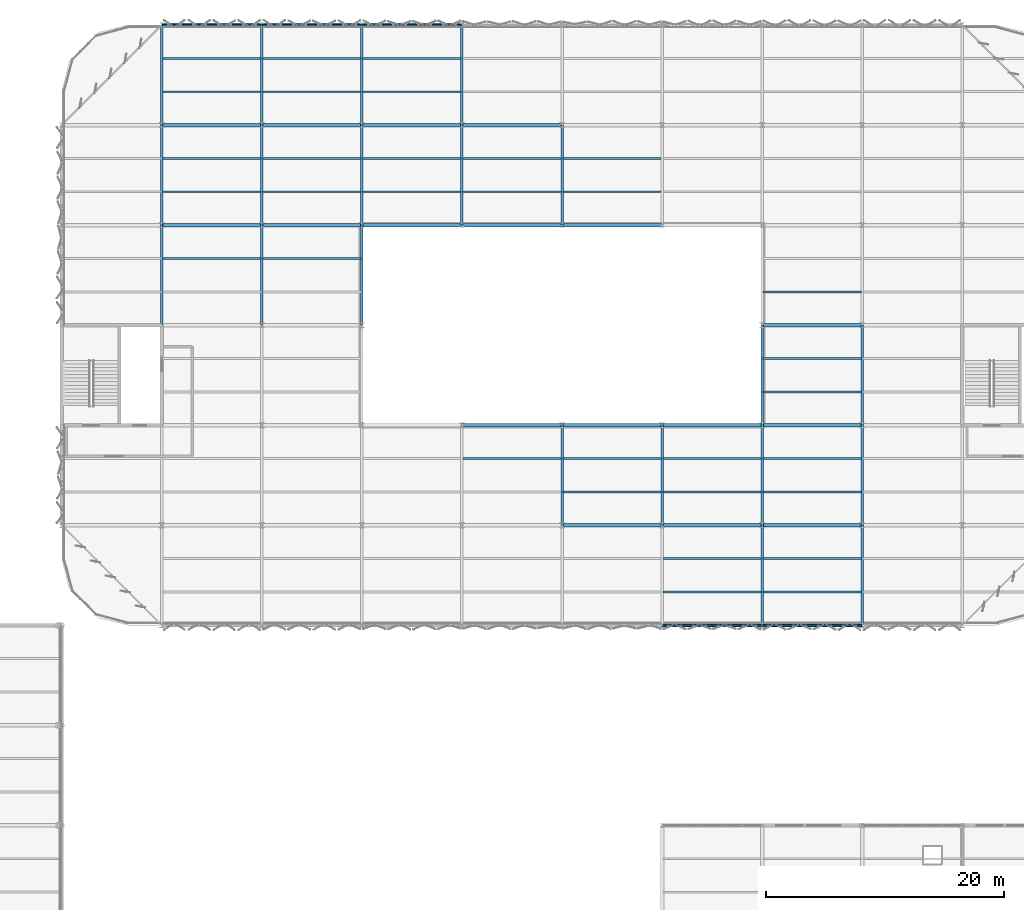
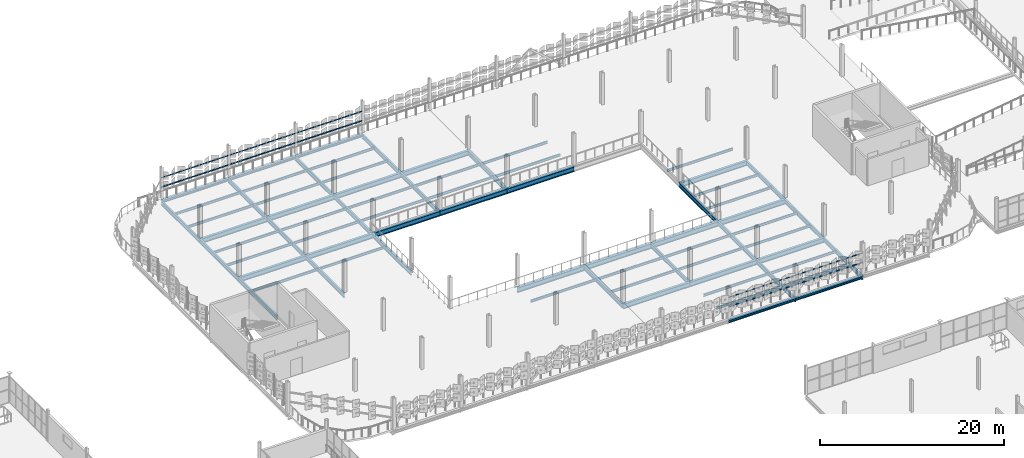
# One storey, part 91 of 163: 84 beams.
"""IFC4 building model written with IfcOpenShell, lengths in metres."""

from ifc_helpers import new_model, si_unit, direction, frame, origin, origin_2d, place, context, subcontext, project, spatial, hollow_rectangle, i_section, extrude, material, material_profile, profile_set, type_object, element, save


model = new_model("IFC4")

# Units and contexts
model_context = context("Model", 3, precision=1e-05, world=origin(), true_north=direction((0.0, 1.0)))
body_context = subcontext(model_context, "Body", "Model", "MODEL_VIEW")
ifc_project = project(units=[si_unit("LENGTHUNIT", "METRE"), si_unit("AREAUNIT", "SQUARE_METRE"), si_unit("VOLUMEUNIT", "CUBIC_METRE"), si_unit("PLANEANGLEUNIT", "RADIAN"), si_unit("MASSUNIT", "GRAM", prefix="KILO")], contexts=[model_context])

# Site, building, storey
site_placement = place(None, origin())
site = spatial("IfcSite", under=ifc_project, at=site_placement, CompositionType="ELEMENT")
building_placement = place(site_placement, origin())
building = spatial("IfcBuilding", under=site, at=building_placement, Name="Qalvenar Corner Mobility Hub", CompositionType="ELEMENT")
storey_placement = place(building_placement, frame((0.0, 0.0, 4.800048828125)))
storey = spatial("IfcBuildingStorey", under=building, at=storey_placement, Name="L01", CompositionType="ELEMENT", Elevation=4.800048828125)

# Beams
ifc_material = material(Name="Steel S355", Category="steel")
ifc_material_profile_1 = material_profile(ifc_material, i_section(OverallWidth=0.300048828125, OverallDepth=0.639892578125, WebThickness=0.013427734375, FlangeThickness=0.02587890625, FilletRadius=0.027099609375, at=origin_2d()), Name="HEA650")
ifc_profile_set_1 = profile_set([ifc_material_profile_1], Name="Steel S355")
beam_type_1 = type_object("IfcBeamType", Name="BM-HEA650", PredefinedType="BEAM", material=ifc_profile_set_1)
beam_1_placement = place(storey_placement, frame((100.800048828125, 75.60009765625, -0.56005859375), z_axis=(1.0, 0.0, 0.0), x_axis=(0.0, 1.0, 0.0)))
element("IfcBeam", 1, at=beam_1_placement, inside=storey, type_object=beam_type_1, Name="Primary Steel Girder GX-1269", PredefinedType="BEAM", context=body_context, shape_type="SweptSolid", body=[
    extrude(i_section(OverallWidth=0.300048828125, OverallDepth=0.639892578125, WebThickness=0.013427734375, FlangeThickness=0.02587890625, FilletRadius=0.027099609375, at=origin_2d()), origin(), (0.0, 0.0, 1.0), 8.39990234375),
])
beam_2_placement = place(storey_placement, frame((109.199951171875, 75.60009765625, -0.56005859375), z_axis=(1.0, 0.0, 0.0), x_axis=(0.0, 1.0, 0.0)))
element("IfcBeam", 2, at=beam_2_placement, inside=storey, type_object=beam_type_1, Name="Primary Steel Girder GX-1270", PredefinedType="BEAM", context=body_context, shape_type="SweptSolid", body=[
    extrude(i_section(OverallWidth=0.300048828125, OverallDepth=0.639892578125, WebThickness=0.013427734375, FlangeThickness=0.02587890625, FilletRadius=0.027099609375, at=origin_2d()), origin(), (0.0, 0.0, 1.0), 8.400146484375),
])
beam_3_placement = place(storey_placement, frame((117.60009765625, 75.60009765625, -0.56005859375), z_axis=(1.0, 0.0, 0.0), x_axis=(0.0, 1.0, 0.0)))
element("IfcBeam", 3, at=beam_3_placement, inside=storey, type_object=beam_type_1, Name="Primary Steel Girder GX-1271", PredefinedType="BEAM", context=body_context, shape_type="SweptSolid", body=[
    extrude(i_section(OverallWidth=0.300048828125, OverallDepth=0.639892578125, WebThickness=0.013427734375, FlangeThickness=0.02587890625, FilletRadius=0.027099609375, at=origin_2d()), origin(), (0.0, 0.0, 1.0), 8.39990234375),
])
beam_4_placement = place(storey_placement, frame((92.39990234375, 84.0, -0.56005859375), z_axis=(1.0, 0.0, 0.0), x_axis=(0.0, 1.0, 0.0)))
element("IfcBeam", 4, at=beam_4_placement, inside=storey, type_object=beam_type_1, Name="Primary Steel Girder GX-1278", PredefinedType="BEAM", context=body_context, shape_type="SweptSolid", body=[
    extrude(i_section(OverallWidth=0.300048828125, OverallDepth=0.639892578125, WebThickness=0.013427734375, FlangeThickness=0.02587890625, FilletRadius=0.027099609375, at=origin_2d()), origin(), (0.0, 0.0, 1.0), 8.400146484375),
])
beam_5_placement = place(storey_placement, frame((100.800048828125, 84.0, -0.56005859375), z_axis=(1.0, 0.0, 0.0), x_axis=(0.0, 1.0, 0.0)))
element("IfcBeam", 5, at=beam_5_placement, inside=storey, type_object=beam_type_1, Name="Primary Steel Girder GX-1279", PredefinedType="BEAM", context=body_context, shape_type="SweptSolid", body=[
    extrude(i_section(OverallWidth=0.300048828125, OverallDepth=0.639892578125, WebThickness=0.013427734375, FlangeThickness=0.02587890625, FilletRadius=0.027099609375, at=origin_2d()), origin(), (0.0, 0.0, 1.0), 8.39990234375),
])
beam_6_placement = place(storey_placement, frame((109.199951171875, 84.0, -0.56005859375), z_axis=(1.0, 0.0, 0.0), x_axis=(0.0, 1.0, 0.0)))
element("IfcBeam", 6, at=beam_6_placement, inside=storey, type_object=beam_type_1, Name="Primary Steel Girder GX-1280", PredefinedType="BEAM", context=body_context, shape_type="SweptSolid", body=[
    extrude(i_section(OverallWidth=0.300048828125, OverallDepth=0.639892578125, WebThickness=0.013427734375, FlangeThickness=0.02587890625, FilletRadius=0.027099609375, at=origin_2d()), origin(), (0.0, 0.0, 1.0), 8.400146484375),
])
for number, where, z_axis, x_axis, name in (
    (7, (117.60009765625, 84.0, -0.56005859375), (1.0, 0.0, 0.0), (0.0, 1.0, 0.0), "Primary Steel Girder GX-1281"),
    (8, (117.60009765625, 92.39990234375, -0.56005859375), (1.0, 0.0, 0.0), (0.0, 1.0, 0.0), "Primary Steel Girder GX-1287"),
):
    element("IfcBeam", number, at=place(storey_placement, frame(where, z_axis=z_axis, x_axis=x_axis)), inside=storey, type_object=beam_type_1, Name=name, PredefinedType="BEAM", context=body_context, shape_type="SweptSolid", body=[
        extrude(i_section(OverallWidth=0.300048828125, OverallDepth=0.639892578125, WebThickness=0.013427734375, FlangeThickness=0.02587890625, FilletRadius=0.027099609375, at=origin_2d()), origin(), (0.0, 0.0, 1.0), 8.39990234375),
    ])
beam_7_placement = place(storey_placement, frame((67.199951171875, 100.800048828125, -0.56005859375), z_axis=(1.0, 0.0, 0.0), x_axis=(0.0, 1.0, 0.0)))
element("IfcBeam", 9, at=beam_7_placement, inside=storey, type_object=beam_type_1, Name="Primary Steel Girder GX-1291", PredefinedType="BEAM", context=body_context, shape_type="SweptSolid", body=[
    extrude(i_section(OverallWidth=0.300048828125, OverallDepth=0.639892578125, WebThickness=0.013427734375, FlangeThickness=0.02587890625, FilletRadius=0.027099609375, at=origin_2d()), origin(), (0.0, 0.0, 1.0), 8.400146484375),
])
for number, where, z_axis, x_axis, name in (
    (10, (75.60009765625, 100.800048828125, -0.56005859375), (1.0, 0.0, 0.0), (0.0, 1.0, 0.0), "Primary Steel Girder GX-1292"),
    (11, (84.0, 100.800048828125, -0.56005859375), (1.0, 0.0, 0.0), (0.0, 1.0, 0.0), "Primary Steel Girder GX-1293"),
):
    element("IfcBeam", number, at=place(storey_placement, frame(where, z_axis=z_axis, x_axis=x_axis)), inside=storey, type_object=beam_type_1, Name=name, PredefinedType="BEAM", context=body_context, shape_type="SweptSolid", body=[
        extrude(i_section(OverallWidth=0.300048828125, OverallDepth=0.639892578125, WebThickness=0.013427734375, FlangeThickness=0.02587890625, FilletRadius=0.027099609375, at=origin_2d()), origin(), (0.0, 0.0, 1.0), 8.39990234375),
    ])
beam_8_placement = place(storey_placement, frame((92.39990234375, 100.800048828125, -0.56005859375), z_axis=(1.0, 0.0, 0.0), x_axis=(0.0, 1.0, 0.0)))
element("IfcBeam", 12, at=beam_8_placement, inside=storey, type_object=beam_type_1, Name="Primary Steel Girder GX-1294", PredefinedType="BEAM", context=body_context, shape_type="SweptSolid", body=[
    extrude(i_section(OverallWidth=0.300048828125, OverallDepth=0.639892578125, WebThickness=0.013427734375, FlangeThickness=0.02587890625, FilletRadius=0.027099609375, at=origin_2d()), origin(), (0.0, 0.0, 1.0), 8.400146484375),
])
beam_9_placement = place(storey_placement, frame((100.800048828125, 100.800048828125, -0.56005859375), z_axis=(1.0, 0.0, 0.0), x_axis=(0.0, 1.0, 0.0)))
element("IfcBeam", 13, at=beam_9_placement, inside=storey, type_object=beam_type_1, Name="Primary Steel Girder GX-1295", PredefinedType="BEAM", context=body_context, shape_type="SweptSolid", body=[
    extrude(i_section(OverallWidth=0.300048828125, OverallDepth=0.639892578125, WebThickness=0.013427734375, FlangeThickness=0.02587890625, FilletRadius=0.027099609375, at=origin_2d()), origin(), (0.0, 0.0, 1.0), 8.39990234375),
])
beam_10_placement = place(storey_placement, frame((67.199951171875, 109.199951171875, -0.56005859375), z_axis=(1.0, 0.0, 0.0), x_axis=(0.0, 1.0, 0.0)))
element("IfcBeam", 14, at=beam_10_placement, inside=storey, type_object=beam_type_1, Name="Primary Steel Girder GX-1301", PredefinedType="BEAM", context=body_context, shape_type="SweptSolid", body=[
    extrude(i_section(OverallWidth=0.300048828125, OverallDepth=0.639892578125, WebThickness=0.013427734375, FlangeThickness=0.02587890625, FilletRadius=0.027099609375, at=origin_2d()), origin(), (0.0, 0.0, 1.0), 8.400146484375),
])
for number, where, z_axis, x_axis, name in (
    (15, (75.60009765625, 109.199951171875, -0.56005859375), (1.0, 0.0, 0.0), (0.0, 1.0, 0.0), "Primary Steel Girder GX-1302"),
    (16, (84.0, 109.199951171875, -0.56005859375), (1.0, 0.0, 0.0), (0.0, 1.0, 0.0), "Primary Steel Girder GX-1303"),
):
    element("IfcBeam", number, at=place(storey_placement, frame(where, z_axis=z_axis, x_axis=x_axis)), inside=storey, type_object=beam_type_1, Name=name, PredefinedType="BEAM", context=body_context, shape_type="SweptSolid", body=[
        extrude(i_section(OverallWidth=0.300048828125, OverallDepth=0.639892578125, WebThickness=0.013427734375, FlangeThickness=0.02587890625, FilletRadius=0.027099609375, at=origin_2d()), origin(), (0.0, 0.0, 1.0), 8.39990234375),
    ])
beam_11_placement = place(storey_placement, frame((92.39990234375, 109.199951171875, -0.56005859375), z_axis=(1.0, 0.0, 0.0), x_axis=(0.0, 1.0, 0.0)))
element("IfcBeam", 17, at=beam_11_placement, inside=storey, type_object=beam_type_1, Name="Primary Steel Girder GX-1304", PredefinedType="BEAM", context=body_context, shape_type="SweptSolid", body=[
    extrude(i_section(OverallWidth=0.300048828125, OverallDepth=0.639892578125, WebThickness=0.013427734375, FlangeThickness=0.02587890625, FilletRadius=0.027099609375, at=origin_2d()), origin(), (0.0, 0.0, 1.0), 8.400146484375),
])
ifc_material_profile_2 = material_profile(ifc_material, i_section(OverallWidth=0.2099609375, OverallDepth=0.550048828125, WebThickness=0.010986328125, FlangeThickness=0.01708984375, FilletRadius=0.02392578125, at=origin_2d()), Name="IPE550")
ifc_profile_set_2 = profile_set([ifc_material_profile_2], Name="Steel S355")
beam_type_2 = type_object("IfcBeamType", Name="BM-IPE550", PredefinedType="BEAM", material=ifc_profile_set_2)
beam_12_placement = place(storey_placement, frame((67.199951171875, 92.39990234375, -0.51513671875), z_axis=(0.0, 1.0, 0.0), x_axis=(-1.0, 0.0, 0.0)))
element("IfcBeam", 18, at=beam_12_placement, inside=storey, type_object=beam_type_2, Name="Primary Steel Girder GY-1325", PredefinedType="BEAM", context=body_context, shape_type="SweptSolid", body=[
    extrude(i_section(OverallWidth=0.2099609375, OverallDepth=0.550048828125, WebThickness=0.010986328125, FlangeThickness=0.01708984375, FilletRadius=0.02392578125, at=origin_2d()), origin(), (0.0, 0.0, 1.0), 8.400146484375),
])
beam_13_placement = place(storey_placement, frame((67.199951171875, 100.800048828125, -0.51513671875), z_axis=(0.0, 1.0, 0.0), x_axis=(-1.0, 0.0, 0.0)))
element("IfcBeam", 19, at=beam_13_placement, inside=storey, type_object=beam_type_2, Name="Primary Steel Girder GY-1326", PredefinedType="BEAM", context=body_context, shape_type="SweptSolid", body=[
    extrude(i_section(OverallWidth=0.2099609375, OverallDepth=0.550048828125, WebThickness=0.010986328125, FlangeThickness=0.01708984375, FilletRadius=0.02392578125, at=origin_2d()), origin(), (0.0, 0.0, 1.0), 8.39990234375),
])
for number, where, z_axis, x_axis, name in (
    (20, (67.199951171875, 109.199951171875, -0.51513671875), (0.0, 1.0, 0.0), (-1.0, 0.0, 0.0), "Primary Steel Girder GY-1327"),
    (21, (75.60009765625, 92.39990234375, -0.51513671875), (0.0, 1.0, 0.0), (-1.0, 0.0, 0.0), "Primary Steel Girder GY-1331"),
):
    element("IfcBeam", number, at=place(storey_placement, frame(where, z_axis=z_axis, x_axis=x_axis)), inside=storey, type_object=beam_type_2, Name=name, PredefinedType="BEAM", context=body_context, shape_type="SweptSolid", body=[
        extrude(i_section(OverallWidth=0.2099609375, OverallDepth=0.550048828125, WebThickness=0.010986328125, FlangeThickness=0.01708984375, FilletRadius=0.02392578125, at=origin_2d()), origin(), (0.0, 0.0, 1.0), 8.400146484375),
    ])
beam_14_placement = place(storey_placement, frame((75.60009765625, 100.800048828125, -0.51513671875), z_axis=(0.0, 1.0, 0.0), x_axis=(-1.0, 0.0, 0.0)))
element("IfcBeam", 22, at=beam_14_placement, inside=storey, type_object=beam_type_2, Name="Primary Steel Girder GY-1332", PredefinedType="BEAM", context=body_context, shape_type="SweptSolid", body=[
    extrude(i_section(OverallWidth=0.2099609375, OverallDepth=0.550048828125, WebThickness=0.010986328125, FlangeThickness=0.01708984375, FilletRadius=0.02392578125, at=origin_2d()), origin(), (0.0, 0.0, 1.0), 8.39990234375),
])
for number, where, z_axis, x_axis, name in (
    (23, (75.60009765625, 109.199951171875, -0.51513671875), (0.0, 1.0, 0.0), (-1.0, 0.0, 0.0), "Primary Steel Girder GY-1333"),
    (24, (84.0, 92.39990234375, -0.51513671875), (0.0, 1.0, 0.0), (-1.0, 0.0, 0.0), "Primary Steel Girder GY-1337"),
):
    element("IfcBeam", number, at=place(storey_placement, frame(where, z_axis=z_axis, x_axis=x_axis)), inside=storey, type_object=beam_type_2, Name=name, PredefinedType="BEAM", context=body_context, shape_type="SweptSolid", body=[
        extrude(i_section(OverallWidth=0.2099609375, OverallDepth=0.550048828125, WebThickness=0.010986328125, FlangeThickness=0.01708984375, FilletRadius=0.02392578125, at=origin_2d()), origin(), (0.0, 0.0, 1.0), 8.400146484375),
    ])
beam_15_placement = place(storey_placement, frame((84.0, 100.800048828125, -0.51513671875), z_axis=(0.0, 1.0, 0.0), x_axis=(-1.0, 0.0, 0.0)))
element("IfcBeam", 25, at=beam_15_placement, inside=storey, type_object=beam_type_2, Name="Primary Steel Girder GY-1338", PredefinedType="BEAM", context=body_context, shape_type="SweptSolid", body=[
    extrude(i_section(OverallWidth=0.2099609375, OverallDepth=0.550048828125, WebThickness=0.010986328125, FlangeThickness=0.01708984375, FilletRadius=0.02392578125, at=origin_2d()), origin(), (0.0, 0.0, 1.0), 8.39990234375),
])
beam_16_placement = place(storey_placement, frame((84.0, 109.199951171875, -0.51513671875), z_axis=(0.0, 1.0, 0.0), x_axis=(-1.0, 0.0, 0.0)))
element("IfcBeam", 26, at=beam_16_placement, inside=storey, type_object=beam_type_2, Name="Primary Steel Girder GY-1339", PredefinedType="BEAM", context=body_context, shape_type="SweptSolid", body=[
    extrude(i_section(OverallWidth=0.2099609375, OverallDepth=0.550048828125, WebThickness=0.010986328125, FlangeThickness=0.01708984375, FilletRadius=0.02392578125, at=origin_2d()), origin(), (0.0, 0.0, 1.0), 8.400146484375),
])
beam_17_placement = place(storey_placement, frame((92.39990234375, 100.800048828125, -0.51513671875), z_axis=(0.0, 1.0, 0.0), x_axis=(-1.0, 0.0, 0.0)))
element("IfcBeam", 27, at=beam_17_placement, inside=storey, type_object=beam_type_2, Name="Primary Steel Girder GY-1342", PredefinedType="BEAM", context=body_context, shape_type="SweptSolid", body=[
    extrude(i_section(OverallWidth=0.2099609375, OverallDepth=0.550048828125, WebThickness=0.010986328125, FlangeThickness=0.01708984375, FilletRadius=0.02392578125, at=origin_2d()), origin(), (0.0, 0.0, 1.0), 8.39990234375),
])
beam_18_placement = place(storey_placement, frame((92.39990234375, 109.199951171875, -0.51513671875), z_axis=(0.0, 1.0, 0.0), x_axis=(-1.0, 0.0, 0.0)))
element("IfcBeam", 28, at=beam_18_placement, inside=storey, type_object=beam_type_2, Name="Primary Steel Girder GY-1343", PredefinedType="BEAM", context=body_context, shape_type="SweptSolid", body=[
    extrude(i_section(OverallWidth=0.2099609375, OverallDepth=0.550048828125, WebThickness=0.010986328125, FlangeThickness=0.01708984375, FilletRadius=0.02392578125, at=origin_2d()), origin(), (0.0, 0.0, 1.0), 8.400146484375),
])
for number, where, z_axis, x_axis, name in (
    (29, (100.800048828125, 75.60009765625, -0.51513671875), (0.0, 1.0, 0.0), (-1.0, 0.0, 0.0), "Primary Steel Girder GY-1345"),
    (30, (100.800048828125, 100.800048828125, -0.51513671875), (0.0, 1.0, 0.0), (-1.0, 0.0, 0.0), "Primary Steel Girder GY-1346"),
    (31, (109.199951171875, 75.60009765625, -0.51513671875), (0.0, 1.0, 0.0), (-1.0, 0.0, 0.0), "Primary Steel Girder GY-1349"),
):
    element("IfcBeam", number, at=place(storey_placement, frame(where, z_axis=z_axis, x_axis=x_axis)), inside=storey, type_object=beam_type_2, Name=name, PredefinedType="BEAM", context=body_context, shape_type="SweptSolid", body=[
        extrude(i_section(OverallWidth=0.2099609375, OverallDepth=0.550048828125, WebThickness=0.010986328125, FlangeThickness=0.01708984375, FilletRadius=0.02392578125, at=origin_2d()), origin(), (0.0, 0.0, 1.0), 8.39990234375),
    ])
beam_19_placement = place(storey_placement, frame((117.60009765625, 67.199951171875, -0.51513671875), z_axis=(0.0, 1.0, 0.0), x_axis=(-1.0, 0.0, 0.0)))
element("IfcBeam", 32, at=beam_19_placement, inside=storey, type_object=beam_type_2, Name="Primary Steel Girder GY-1352", PredefinedType="BEAM", context=body_context, shape_type="SweptSolid", body=[
    extrude(i_section(OverallWidth=0.2099609375, OverallDepth=0.550048828125, WebThickness=0.010986328125, FlangeThickness=0.01708984375, FilletRadius=0.02392578125, at=origin_2d()), origin(), (0.0, 0.0, 1.0), 8.400146484375),
])
for number, where, z_axis, x_axis, name in (
    (33, (117.60009765625, 75.60009765625, -0.51513671875), (0.0, 1.0, 0.0), (-1.0, 0.0, 0.0), "Primary Steel Girder GY-1353"),
    (34, (117.60009765625, 84.0, -0.51513671875), (0.0, 1.0, 0.0), (-1.0, 0.0, 0.0), "Primary Steel Girder GY-1354"),
):
    element("IfcBeam", number, at=place(storey_placement, frame(where, z_axis=z_axis, x_axis=x_axis)), inside=storey, type_object=beam_type_2, Name=name, PredefinedType="BEAM", context=body_context, shape_type="SweptSolid", body=[
        extrude(i_section(OverallWidth=0.2099609375, OverallDepth=0.550048828125, WebThickness=0.010986328125, FlangeThickness=0.01708984375, FilletRadius=0.02392578125, at=origin_2d()), origin(), (0.0, 0.0, 1.0), 8.39990234375),
    ])
beam_20_placement = place(storey_placement, frame((126.0, 67.199951171875, -0.51513671875), z_axis=(0.0, 1.0, 0.0), x_axis=(-1.0, 0.0, 0.0)))
element("IfcBeam", 35, at=beam_20_placement, inside=storey, type_object=beam_type_2, Name="Primary Steel Girder GY-1358", PredefinedType="BEAM", context=body_context, shape_type="SweptSolid", body=[
    extrude(i_section(OverallWidth=0.2099609375, OverallDepth=0.550048828125, WebThickness=0.010986328125, FlangeThickness=0.01708984375, FilletRadius=0.02392578125, at=origin_2d()), origin(), (0.0, 0.0, 1.0), 8.400146484375),
])
for number, where, z_axis, x_axis, name in (
    (36, (126.0, 75.60009765625, -0.51513671875), (0.0, 1.0, 0.0), (-1.0, 0.0, 0.0), "Primary Steel Girder GY-1359"),
    (37, (126.0, 84.0, -0.51513671875), (0.0, 1.0, 0.0), (-1.0, 0.0, 0.0), "Primary Steel Girder GY-1360"),
):
    element("IfcBeam", number, at=place(storey_placement, frame(where, z_axis=z_axis, x_axis=x_axis)), inside=storey, type_object=beam_type_2, Name=name, PredefinedType="BEAM", context=body_context, shape_type="SweptSolid", body=[
        extrude(i_section(OverallWidth=0.2099609375, OverallDepth=0.550048828125, WebThickness=0.010986328125, FlangeThickness=0.01708984375, FilletRadius=0.02392578125, at=origin_2d()), origin(), (0.0, 0.0, 1.0), 8.39990234375),
    ])
ifc_material_profile_3 = material_profile(ifc_material, i_section(OverallWidth=0.159912109375, OverallDepth=0.330078125, WebThickness=0.007568359375, FlangeThickness=0.011474609375, FilletRadius=0.01806640625, at=origin_2d()), Name="IPE330")
ifc_profile_set_3 = profile_set([ifc_material_profile_3], Name="Steel S355")
beam_type_3 = type_object("IfcBeamType", Name="BM-JST330", PredefinedType="JOIST", material=ifc_profile_set_3)
for number, where, z_axis, x_axis, name in (
    (38, (67.278076171875, 98.0, -0.405029296875), (1.0, 0.0, 0.0), (0.0, 1.0, 0.0), "Composite Floor Joist J-1387"),
    (39, (67.278076171875, 103.60009765625, -0.405029296875), (1.0, 0.0, 0.0), (0.0, 1.0, 0.0), "Composite Floor Joist J-1388"),
    (40, (67.278076171875, 106.39990234375, -0.405029296875), (1.0, 0.0, 0.0), (0.0, 1.0, 0.0), "Composite Floor Joist J-1389"),
    (41, (67.278076171875, 112.0, -0.405029296875), (1.0, 0.0, 0.0), (0.0, 1.0, 0.0), "Composite Floor Joist J-1390"),
    (42, (67.278076171875, 114.800048828125, -0.405029296875), (1.0, 0.0, 0.0), (0.0, 1.0, 0.0), "Composite Floor Joist J-1391"),
):
    element("IfcBeam", number, at=place(storey_placement, frame(where, z_axis=z_axis, x_axis=x_axis)), inside=storey, type_object=beam_type_3, Name=name, PredefinedType="JOIST", context=body_context, shape_type="SweptSolid", body=[
        extrude(i_section(OverallWidth=0.159912109375, OverallDepth=0.330078125, WebThickness=0.007568359375, FlangeThickness=0.011474609375, FilletRadius=0.01806640625, at=origin_2d()), origin(), (0.0, 0.0, 1.0), 8.243896484375),
    ])
for number, where, z_axis, x_axis, name in (
    (43, (75.677978515625, 98.0, -0.405029296875), (1.0, 0.0, 0.0), (0.0, 1.0, 0.0), "Composite Floor Joist J-1399"),
    (44, (75.677978515625, 103.60009765625, -0.405029296875), (1.0, 0.0, 0.0), (0.0, 1.0, 0.0), "Composite Floor Joist J-1400"),
    (45, (75.677978515625, 106.39990234375, -0.405029296875), (1.0, 0.0, 0.0), (0.0, 1.0, 0.0), "Composite Floor Joist J-1401"),
    (46, (75.677978515625, 112.0, -0.405029296875), (1.0, 0.0, 0.0), (0.0, 1.0, 0.0), "Composite Floor Joist J-1402"),
    (47, (75.677978515625, 114.800048828125, -0.405029296875), (1.0, 0.0, 0.0), (0.0, 1.0, 0.0), "Composite Floor Joist J-1403"),
    (48, (84.077880859375, 103.60009765625, -0.405029296875), (1.0, 0.0, 0.0), (0.0, 1.0, 0.0), "Composite Floor Joist J-1408"),
    (49, (84.077880859375, 106.39990234375, -0.405029296875), (1.0, 0.0, 0.0), (0.0, 1.0, 0.0), "Composite Floor Joist J-1409"),
    (50, (84.077880859375, 112.0, -0.405029296875), (1.0, 0.0, 0.0), (0.0, 1.0, 0.0), "Composite Floor Joist J-1410"),
    (51, (84.077880859375, 114.800048828125, -0.405029296875), (1.0, 0.0, 0.0), (0.0, 1.0, 0.0), "Composite Floor Joist J-1411"),
):
    element("IfcBeam", number, at=place(storey_placement, frame(where, z_axis=z_axis, x_axis=x_axis)), inside=storey, type_object=beam_type_3, Name=name, PredefinedType="JOIST", context=body_context, shape_type="SweptSolid", body=[
        extrude(i_section(OverallWidth=0.159912109375, OverallDepth=0.330078125, WebThickness=0.007568359375, FlangeThickness=0.011474609375, FilletRadius=0.01806640625, at=origin_2d()), origin(), (0.0, 0.0, 1.0), 8.244140625),
    ])
for number, where, z_axis, x_axis, name in (
    (52, (92.47802734375, 81.199951171875, -0.405029296875), (1.0, 0.0, 0.0), (0.0, 1.0, 0.0), "Composite Floor Joist J-1415"),
    (53, (92.47802734375, 103.60009765625, -0.405029296875), (1.0, 0.0, 0.0), (0.0, 1.0, 0.0), "Composite Floor Joist J-1416"),
    (54, (92.47802734375, 106.39990234375, -0.405029296875), (1.0, 0.0, 0.0), (0.0, 1.0, 0.0), "Composite Floor Joist J-1417"),
):
    element("IfcBeam", number, at=place(storey_placement, frame(where, z_axis=z_axis, x_axis=x_axis)), inside=storey, type_object=beam_type_3, Name=name, PredefinedType="JOIST", context=body_context, shape_type="SweptSolid", body=[
        extrude(i_section(OverallWidth=0.159912109375, OverallDepth=0.330078125, WebThickness=0.007568359375, FlangeThickness=0.011474609375, FilletRadius=0.01806640625, at=origin_2d()), origin(), (0.0, 0.0, 1.0), 8.243896484375),
    ])
for number, where, z_axis, x_axis, name in (
    (55, (100.8779296875, 78.39990234375, -0.405029296875), (1.0, 0.0, 0.0), (0.0, 1.0, 0.0), "Composite Floor Joist J-1422"),
    (56, (100.8779296875, 81.199951171875, -0.405029296875), (1.0, 0.0, 0.0), (0.0, 1.0, 0.0), "Composite Floor Joist J-1423"),
    (57, (100.8779296875, 103.60009765625, -0.405029296875), (1.0, 0.0, 0.0), (0.0, 1.0, 0.0), "Composite Floor Joist J-1424"),
    (58, (100.8779296875, 106.39990234375, -0.405029296875), (1.0, 0.0, 0.0), (0.0, 1.0, 0.0), "Composite Floor Joist J-1425"),
):
    element("IfcBeam", number, at=place(storey_placement, frame(where, z_axis=z_axis, x_axis=x_axis)), inside=storey, type_object=beam_type_3, Name=name, PredefinedType="JOIST", context=body_context, shape_type="SweptSolid", body=[
        extrude(i_section(OverallWidth=0.159912109375, OverallDepth=0.330078125, WebThickness=0.007568359375, FlangeThickness=0.011474609375, FilletRadius=0.01806640625, at=origin_2d()), origin(), (0.0, 0.0, 1.0), 8.244140625),
    ])
for number, where, z_axis, x_axis, name in (
    (59, (109.278076171875, 70.0, -0.405029296875), (1.0, 0.0, 0.0), (0.0, 1.0, 0.0), "Composite Floor Joist J-1428"),
    (60, (109.278076171875, 72.800048828125, -0.405029296875), (1.0, 0.0, 0.0), (0.0, 1.0, 0.0), "Composite Floor Joist J-1429"),
    (61, (109.278076171875, 78.39990234375, -0.405029296875), (1.0, 0.0, 0.0), (0.0, 1.0, 0.0), "Composite Floor Joist J-1430"),
    (62, (109.278076171875, 81.199951171875, -0.405029296875), (1.0, 0.0, 0.0), (0.0, 1.0, 0.0), "Composite Floor Joist J-1431"),
):
    element("IfcBeam", number, at=place(storey_placement, frame(where, z_axis=z_axis, x_axis=x_axis)), inside=storey, type_object=beam_type_3, Name=name, PredefinedType="JOIST", context=body_context, shape_type="SweptSolid", body=[
        extrude(i_section(OverallWidth=0.159912109375, OverallDepth=0.330078125, WebThickness=0.007568359375, FlangeThickness=0.011474609375, FilletRadius=0.01806640625, at=origin_2d()), origin(), (0.0, 0.0, 1.0), 8.243896484375),
    ])
for number, where, z_axis, x_axis, name in (
    (63, (117.677978515625, 70.0, -0.405029296875), (1.0, 0.0, 0.0), (0.0, 1.0, 0.0), "Composite Floor Joist J-1436"),
    (64, (117.677978515625, 72.800048828125, -0.405029296875), (1.0, 0.0, 0.0), (0.0, 1.0, 0.0), "Composite Floor Joist J-1437"),
    (65, (117.677978515625, 78.39990234375, -0.405029296875), (1.0, 0.0, 0.0), (0.0, 1.0, 0.0), "Composite Floor Joist J-1438"),
    (66, (117.677978515625, 81.199951171875, -0.405029296875), (1.0, 0.0, 0.0), (0.0, 1.0, 0.0), "Composite Floor Joist J-1439"),
    (67, (117.677978515625, 86.800048828125, -0.405029296875), (1.0, 0.0, 0.0), (0.0, 1.0, 0.0), "Composite Floor Joist J-1440"),
    (68, (117.677978515625, 89.60009765625, -0.405029296875), (1.0, 0.0, 0.0), (0.0, 1.0, 0.0), "Composite Floor Joist J-1441"),
    (69, (117.677978515625, 95.199951171875, -0.405029296875), (1.0, 0.0, 0.0), (0.0, 1.0, 0.0), "Composite Floor Joist J-1442"),
):
    element("IfcBeam", number, at=place(storey_placement, frame(where, z_axis=z_axis, x_axis=x_axis)), inside=storey, type_object=beam_type_3, Name=name, PredefinedType="JOIST", context=body_context, shape_type="SweptSolid", body=[
        extrude(i_section(OverallWidth=0.159912109375, OverallDepth=0.330078125, WebThickness=0.007568359375, FlangeThickness=0.011474609375, FilletRadius=0.01806640625, at=origin_2d()), origin(), (0.0, 0.0, 1.0), 8.244140625),
    ])
ifc_material_profile_4 = material_profile(ifc_material, i_section(OverallWidth=0.300048828125, OverallDepth=0.330078125, WebThickness=0.009521484375, FlangeThickness=0.0166015625, FilletRadius=0.027099609375, at=origin_2d()), Name="HEA340")
ifc_profile_set_4 = profile_set([ifc_material_profile_4], Name="Steel S355")
beam_type_4 = type_object("IfcBeamType", Name="BM-SPN340", PredefinedType="SPANDREL", material=ifc_profile_set_4)
beam_21_placement = place(storey_placement, frame((109.199951171875, 67.199951171875, -0.405029296875), z_axis=(1.0, 0.0, 0.0), x_axis=(0.0, 1.0, 0.0)))
element("IfcBeam", 70, at=beam_21_placement, inside=storey, type_object=beam_type_4, Name="Primary Steel Girder GX-1261", PredefinedType="SPANDREL", context=body_context, shape_type="SweptSolid", body=[
    extrude(i_section(OverallWidth=0.300048828125, OverallDepth=0.330078125, WebThickness=0.009521484375, FlangeThickness=0.0166015625, FilletRadius=0.027099609375, at=origin_2d()), origin(), (0.0, 0.0, 1.0), 8.400146484375),
])
beam_22_placement = place(storey_placement, frame((117.60009765625, 67.199951171875, -0.405029296875), z_axis=(1.0, 0.0, 0.0), x_axis=(0.0, 1.0, 0.0)))
element("IfcBeam", 71, at=beam_22_placement, inside=storey, type_object=beam_type_4, Name="Primary Steel Girder GX-1262", PredefinedType="SPANDREL", context=body_context, shape_type="SweptSolid", body=[
    extrude(i_section(OverallWidth=0.300048828125, OverallDepth=0.330078125, WebThickness=0.009521484375, FlangeThickness=0.0166015625, FilletRadius=0.027099609375, at=origin_2d()), origin(), (0.0, 0.0, 1.0), 8.39990234375),
])
beam_23_placement = place(storey_placement, frame((67.199951171875, 117.60009765625, -0.405029296875), z_axis=(1.0, 0.0, 0.0), x_axis=(0.0, 1.0, 0.0)))
element("IfcBeam", 72, at=beam_23_placement, inside=storey, type_object=beam_type_4, Name="Primary Steel Girder GX-1310", PredefinedType="SPANDREL", context=body_context, shape_type="SweptSolid", body=[
    extrude(i_section(OverallWidth=0.300048828125, OverallDepth=0.330078125, WebThickness=0.009521484375, FlangeThickness=0.0166015625, FilletRadius=0.027099609375, at=origin_2d()), origin(), (0.0, 0.0, 1.0), 8.400146484375),
])
for number, where, z_axis, x_axis, name in (
    (73, (75.60009765625, 117.60009765625, -0.405029296875), (1.0, 0.0, 0.0), (0.0, 1.0, 0.0), "Primary Steel Girder GX-1311"),
    (74, (84.0, 117.60009765625, -0.405029296875), (1.0, 0.0, 0.0), (0.0, 1.0, 0.0), "Primary Steel Girder GX-1312"),
):
    element("IfcBeam", number, at=place(storey_placement, frame(where, z_axis=z_axis, x_axis=x_axis)), inside=storey, type_object=beam_type_4, Name=name, PredefinedType="SPANDREL", context=body_context, shape_type="SweptSolid", body=[
        extrude(i_section(OverallWidth=0.300048828125, OverallDepth=0.330078125, WebThickness=0.009521484375, FlangeThickness=0.0166015625, FilletRadius=0.027099609375, at=origin_2d()), origin(), (0.0, 0.0, 1.0), 8.39990234375),
    ])
ifc_material_profile_5 = material_profile(ifc_material, hollow_rectangle(XDim=0.080078125, YDim=0.1201171875, WallThickness=0.0048828125, InnerFilletRadius=0.0048828125, OuterFilletRadius=0.010009765625, at=origin_2d()), Name="RHS120x80x5")
ifc_profile_set_5 = profile_set([ifc_material_profile_5], Name="Steel S355")
beam_type_5 = type_object("IfcBeamType", Name="FR-RAIL120", PredefinedType="SPANDREL", material=ifc_profile_set_5)
beam_24_placement = place(storey_placement, frame((109.199951171875, 67.199951171875, 2.75), z_axis=(1.0, 0.0, 0.0), x_axis=(0.0, 1.0, 0.0)))
element("IfcBeam", 75, at=beam_24_placement, inside=storey, type_object=beam_type_5, Name="Facade Hinge Support Rail FR-L01-0012", PredefinedType="SPANDREL", context=body_context, shape_type="SweptSolid", body=[
    extrude(hollow_rectangle(XDim=0.080078125, YDim=0.1201171875, WallThickness=0.0048828125, InnerFilletRadius=0.0048828125, OuterFilletRadius=0.010009765625, at=origin_2d()), origin(), (0.0, 0.0, 1.0), 8.400146484375),
])
for number, where, z_axis, x_axis, name in (
    (76, (117.60009765625, 67.199951171875, 2.75), (1.0, 0.0, 0.0), (0.0, 1.0, 0.0), "Facade Hinge Support Rail FR-L01-0014"),
    (77, (92.39990234375, 117.60009765625, 2.75), (-1.0, 0.0, 0.0), (0.0, -1.0, 0.0), "Facade Hinge Support Rail FR-L01-0028"),
    (78, (84.0, 117.60009765625, 2.75), (-1.0, 0.0, 0.0), (0.0, -1.0, 0.0), "Facade Hinge Support Rail FR-L01-0030"),
):
    element("IfcBeam", number, at=place(storey_placement, frame(where, z_axis=z_axis, x_axis=x_axis)), inside=storey, type_object=beam_type_5, Name=name, PredefinedType="SPANDREL", context=body_context, shape_type="SweptSolid", body=[
        extrude(hollow_rectangle(XDim=0.080078125, YDim=0.1201171875, WallThickness=0.0048828125, InnerFilletRadius=0.0048828125, OuterFilletRadius=0.010009765625, at=origin_2d()), origin(), (0.0, 0.0, 1.0), 8.39990234375),
    ])
beam_25_placement = place(storey_placement, frame((75.60009765625, 117.60009765625, 2.75), z_axis=(-1.0, 0.0, 0.0), x_axis=(0.0, -1.0, 0.0)))
element("IfcBeam", 79, at=beam_25_placement, inside=storey, type_object=beam_type_5, Name="Facade Hinge Support Rail FR-L01-0032", PredefinedType="SPANDREL", context=body_context, shape_type="SweptSolid", body=[
    extrude(hollow_rectangle(XDim=0.080078125, YDim=0.1201171875, WallThickness=0.0048828125, InnerFilletRadius=0.0048828125, OuterFilletRadius=0.010009765625, at=origin_2d()), origin(), (0.0, 0.0, 1.0), 8.400146484375),
])
ifc_material_profile_6 = material_profile(ifc_material, hollow_rectangle(XDim=0.10009765625, YDim=0.14990234375, WallThickness=0.00634765625, InnerFilletRadius=0.00634765625, OuterFilletRadius=0.0126953125, at=origin_2d()), Name="RHS150x100x6.3")
ifc_profile_set_6 = profile_set([ifc_material_profile_6], Name="Steel S355")
beam_type_6 = type_object("IfcBeamType", Name="FR-RAIL150", PredefinedType="SPANDREL", material=ifc_profile_set_6)
beam_26_placement = place(storey_placement, frame((109.199951171875, 67.199951171875, 1.5), z_axis=(1.0, 0.0, 0.0), x_axis=(0.0, 1.0, 0.0)))
element("IfcBeam", 80, at=beam_26_placement, inside=storey, type_object=beam_type_6, Name="Facade Hinge Support Rail FR-L01-0011", PredefinedType="SPANDREL", context=body_context, shape_type="SweptSolid", body=[
    extrude(hollow_rectangle(XDim=0.10009765625, YDim=0.14990234375, WallThickness=0.00634765625, InnerFilletRadius=0.00634765625, OuterFilletRadius=0.0126953125, at=origin_2d()), origin(), (0.0, 0.0, 1.0), 8.400146484375),
])
for number, where, z_axis, x_axis, name in (
    (81, (117.60009765625, 67.199951171875, 1.5), (1.0, 0.0, 0.0), (0.0, 1.0, 0.0), "Facade Hinge Support Rail FR-L01-0013"),
    (82, (92.39990234375, 117.60009765625, 1.5), (-1.0, 0.0, 0.0), (0.0, -1.0, 0.0), "Facade Hinge Support Rail FR-L01-0027"),
    (83, (84.0, 117.60009765625, 1.5), (-1.0, 0.0, 0.0), (0.0, -1.0, 0.0), "Facade Hinge Support Rail FR-L01-0029"),
):
    element("IfcBeam", number, at=place(storey_placement, frame(where, z_axis=z_axis, x_axis=x_axis)), inside=storey, type_object=beam_type_6, Name=name, PredefinedType="SPANDREL", context=body_context, shape_type="SweptSolid", body=[
        extrude(hollow_rectangle(XDim=0.10009765625, YDim=0.14990234375, WallThickness=0.00634765625, InnerFilletRadius=0.00634765625, OuterFilletRadius=0.0126953125, at=origin_2d()), origin(), (0.0, 0.0, 1.0), 8.39990234375),
    ])
beam_27_placement = place(storey_placement, frame((75.60009765625, 117.60009765625, 1.5), z_axis=(-1.0, 0.0, 0.0), x_axis=(0.0, -1.0, 0.0)))
element("IfcBeam", 84, at=beam_27_placement, inside=storey, type_object=beam_type_6, Name="Facade Hinge Support Rail FR-L01-0031", PredefinedType="SPANDREL", context=body_context, shape_type="SweptSolid", body=[
    extrude(hollow_rectangle(XDim=0.10009765625, YDim=0.14990234375, WallThickness=0.00634765625, InnerFilletRadius=0.00634765625, OuterFilletRadius=0.0126953125, at=origin_2d()), origin(), (0.0, 0.0, 1.0), 8.400146484375),
])

save(model, "model.ifc")
